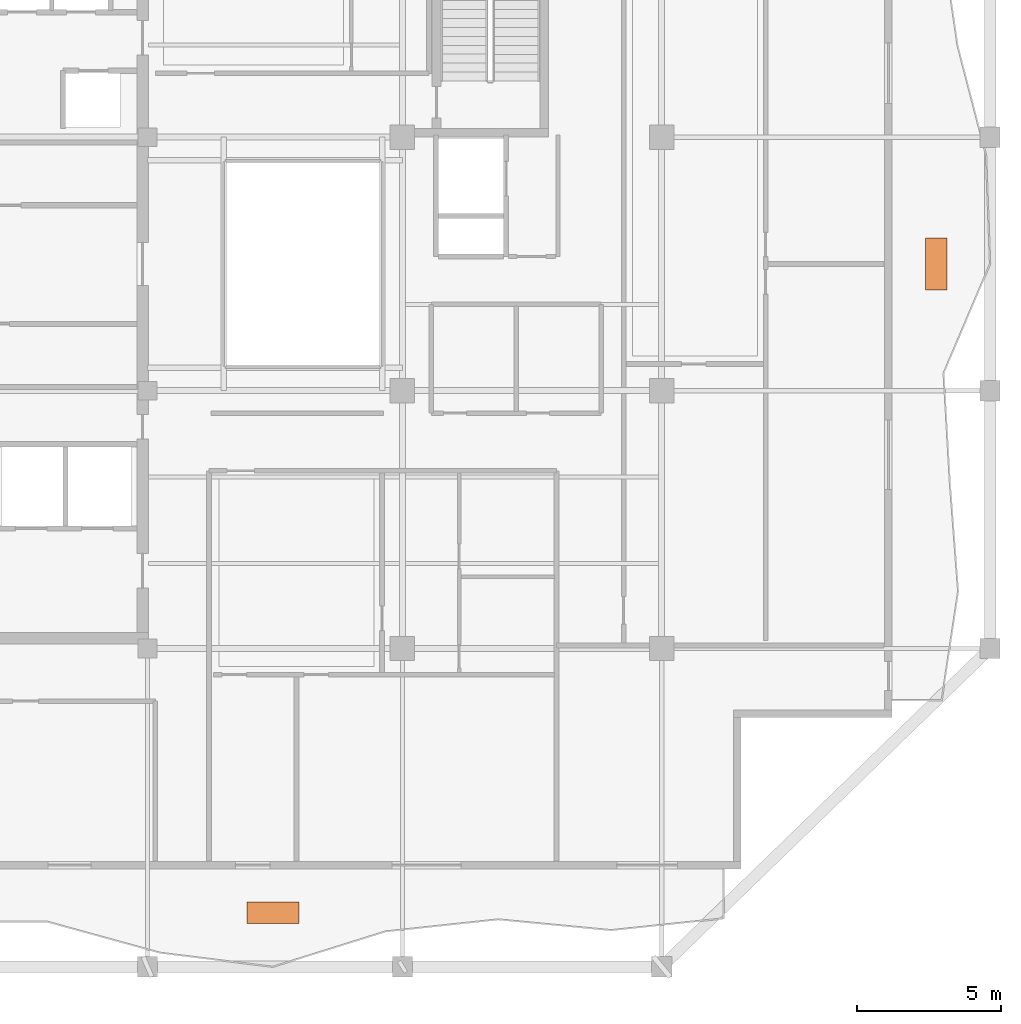
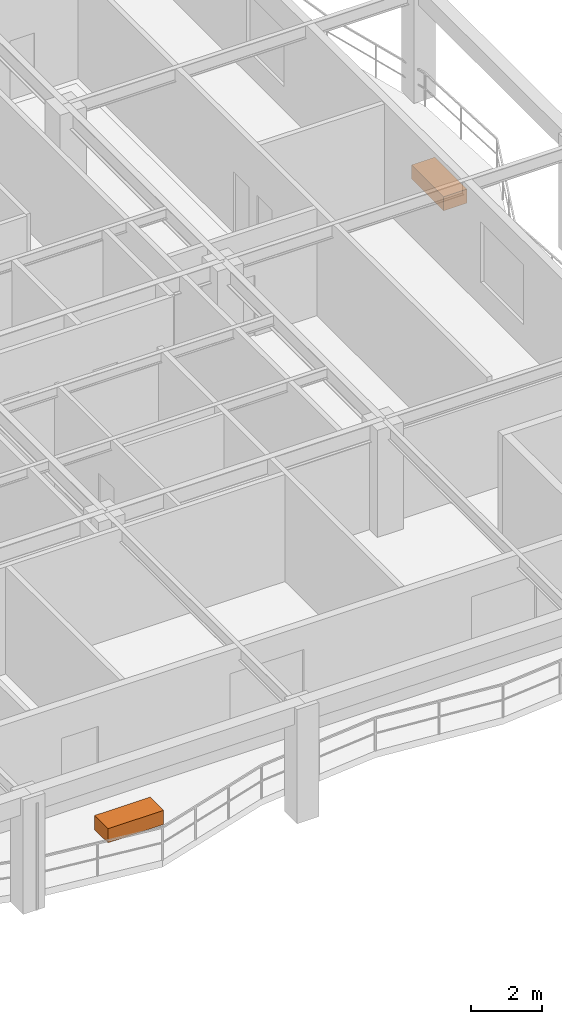
# One storey, part 11 of 11: 2 proxies.
"""IFC4 building model written with IfcOpenShell, lengths in metres."""

from ifc_helpers import new_model, si_unit, direction, frame, origin, origin_2d, place, context, subcontext, project, spatial, rectangle, extrude, material, type_object, element, save


model = new_model("IFC4")

# Units and contexts
model_context = context("Model", 3, precision=1e-05, world=origin(), true_north=direction((0.0, 1.0)))
body_context = subcontext(model_context, "Body", "Model", "MODEL_VIEW")
ifc_project = project(units=[si_unit("LENGTHUNIT", "METRE"), si_unit("AREAUNIT", "SQUARE_METRE"), si_unit("VOLUMEUNIT", "CUBIC_METRE"), si_unit("PLANEANGLEUNIT", "RADIAN"), si_unit("MASSUNIT", "GRAM", prefix="KILO")], contexts=[model_context])

# Site, building, storey
site_placement = place(None, origin())
site = spatial("IfcSite", under=ifc_project, at=site_placement, CompositionType="ELEMENT")
building_placement = place(site_placement, origin())
building = spatial("IfcBuilding", under=site, at=building_placement, Name="Kundavana Baori Tower", CompositionType="ELEMENT")
storey_placement = place(building_placement, frame((0.0, 0.0, 257.0)))
storey = spatial("IfcBuildingStorey", under=building, at=storey_placement, Name="L63", CompositionType="ELEMENT", Elevation=257.0)

# Proxies
ifc_material = material(Name="Red-Buff Dholpur Sandstone Cladding on Concrete C40/50", Category="masonry")
building_element_proxy_type = type_object("IfcBuildingElementProxyType", Name="PRX-PLANTER-1800", PredefinedType="USERDEFINED", material=ifc_material)
for number, where, z_axis, x_axis, name in (
    (1, (29.300048828125, 6.070068359375, 0.0), (0.0, 0.0, 1.0), (1.0, 0.0, 0.0), "L63 Dholpur Stone Structural Tree Planter S"),
    (2, (52.330078125, 28.60009765625, 0.0), (0.0, 0.0, 1.0), (0.0, 1.0, 0.0), "L63 Dholpur Stone Structural Tree Planter E"),
):
    element("IfcBuildingElementProxy", number, at=place(storey_placement, frame(where, z_axis=z_axis, x_axis=x_axis)), inside=storey, type_object=building_element_proxy_type, Name=name, ObjectType="PLANTER", PredefinedType="USERDEFINED", context=body_context, shape_type="SweptSolid", body=[
        extrude(rectangle(XDim=1.800048828125, YDim=0.75, at=origin_2d()), origin(), (0.0, 0.0, 1.0), 0.47998046875),
    ])

save(model, "model.ifc")
